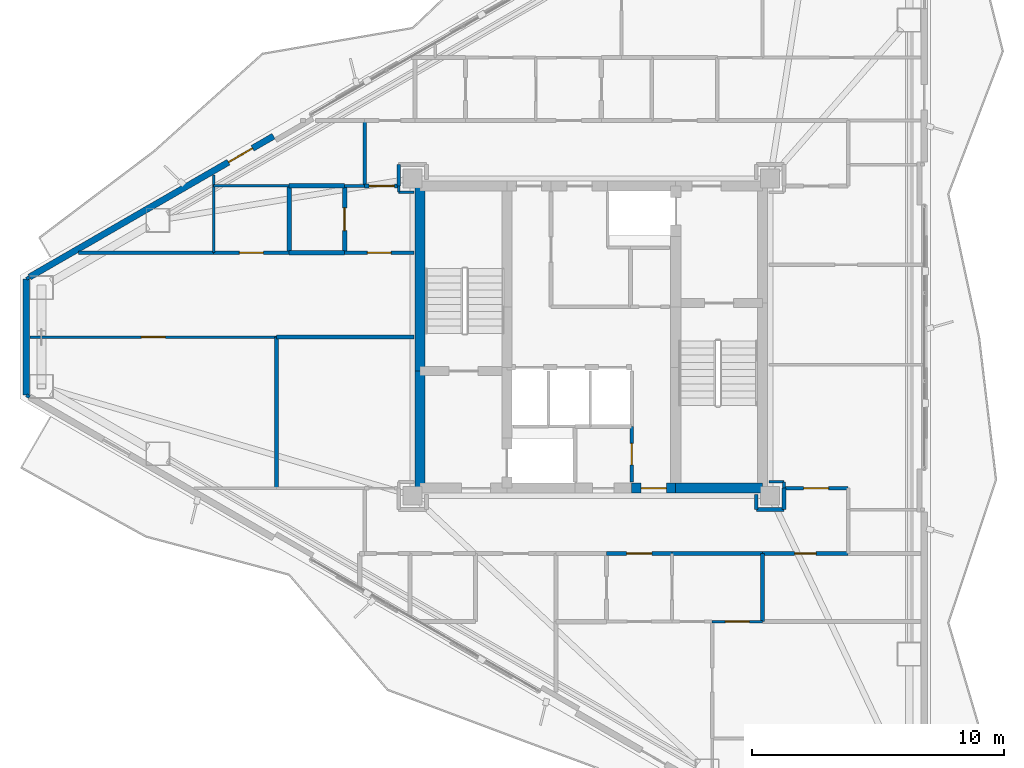
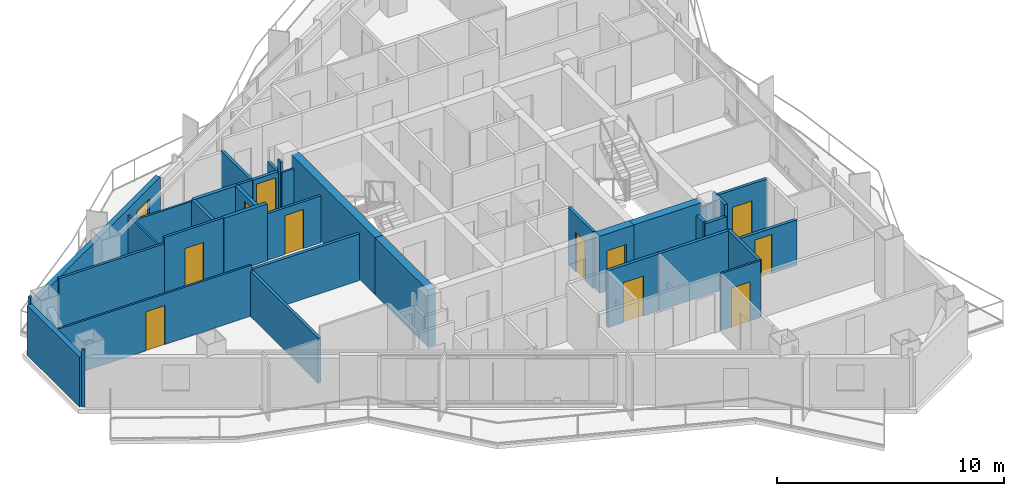
# One storey, part 13 of 18: 38 walls, 12 doors, 12 openings.
"""IFC4 building model written with IfcOpenShell, lengths in metres."""

import ifcopenshell
import ifcopenshell.guid

model = None  # the IFC model being written
_history = None  # IfcOwnerHistory: only IFC2X3 demands one
_inside = {}  # id of a spatial element -> (the spatial element, [elements in it])
_under = {}  # id of a project, library or spatial element -> (it, [spatial elements below it])
_declared = {}  # id of a project -> (the project, [libraries it declares])
_typed = {}  # id of a type object -> (the type object, [elements of that type])
_made_of = {}  # id of a material, layer set ... -> (it, [elements and type objects made of it])


def new_model(schema):
    """Start an empty IFC model of exactly this schema.

    Asked for "IFC4X3", IfcOpenShell would pick the latest addendum, in which some entities
    have other attributes; the version numbers below select the first issue.
    IFC2X3 requires an IfcOwnerHistory on every rooted entity: one is made here for all.
    """
    global model, _history
    if schema == "IFC4X3":
        model = ifcopenshell.file(schema_version=(4, 3, 0, 0))
    else:
        model = ifcopenshell.file(schema=schema)
    _inside.clear()
    _under.clear()
    _declared.clear()
    _typed.clear()
    _made_of.clear()
    _history = None
    if model.schema == "IFC2X3":
        org = make("IfcOrganization", Name="unknown")
        user = make(
            "IfcPersonAndOrganization",
            ThePerson=make("IfcPerson", FamilyName="unknown"),
            TheOrganization=org,
        )
        app = make(
            "IfcApplication",
            ApplicationDeveloper=org,
            Version="unknown",
            ApplicationFullName="unknown",
            ApplicationIdentifier="unknown",
        )
        _history = make(
            "IfcOwnerHistory",
            OwningUser=user,
            OwningApplication=app,
            ChangeAction="ADDED",
            CreationDate=0,
        )
    return model


def make(cls, **values):
    """One entity of the class cls with the attributes given. An attribute that is None is left unset."""
    return model.create_entity(
        cls, **{name: value for name, value in values.items() if value is not None}
    )


def rooted(cls, **values):
    """An entity with a GlobalId (a new one), such as an element, a storey or a relation."""
    return make(cls, GlobalId=ifcopenshell.guid.new(), OwnerHistory=_history, **values)


def si_unit(unit_type, name, prefix=None):
    """IfcSIUnit, for example si_unit("LENGTHUNIT", "METRE", prefix="MILLI")."""
    return make("IfcSIUnit", UnitType=unit_type, Prefix=prefix, Name=name)


def assignment(units):
    """IfcUnitAssignment: the units of a project."""
    return None if units is None else make("IfcUnitAssignment", Units=units)


def point(xyz):
    """IfcCartesianPoint."""
    return None if xyz is None else make("IfcCartesianPoint", Coordinates=xyz)


def direction(xyz):
    """IfcDirection."""
    return None if xyz is None else make("IfcDirection", DirectionRatios=xyz)


def frame(location, z_axis=None, x_axis=None):
    """IfcAxis2Placement3D, a coordinate frame: its origin and axes. An axis left out is left unset."""
    return make(
        "IfcAxis2Placement3D",
        Location=point(location),
        Axis=direction(z_axis),
        RefDirection=direction(x_axis),
    )


def frame_2d(location, x_axis=None):
    """IfcAxis2Placement2D, a coordinate frame in the plane: its origin and x axis."""
    return make(
        "IfcAxis2Placement2D", Location=point(location), RefDirection=direction(x_axis)
    )


def origin():
    """The frame at (0, 0, 0) with its axes left unset."""
    return frame((0.0, 0.0, 0.0))


def place(relative_to, where):
    """IfcLocalPlacement: puts the frame where relative to a parent placement (None: the world)."""
    return make(
        "IfcLocalPlacement", PlacementRelTo=relative_to, RelativePlacement=where
    )


def context(
    kind, dimensions, precision=None, world=None, true_north=None, identifier=None
):
    """IfcGeometricRepresentationContext, for example the 3D "Model" context."""
    return make(
        "IfcGeometricRepresentationContext",
        ContextIdentifier=identifier,
        ContextType=kind,
        CoordinateSpaceDimension=dimensions,
        Precision=precision,
        WorldCoordinateSystem=world,
        TrueNorth=true_north,
    )


def subcontext(parent, identifier, kind, view, scale=None):
    """IfcGeometricRepresentationSubContext, for example "Body" below "Model"."""
    return make(
        "IfcGeometricRepresentationSubContext",
        ContextIdentifier=identifier,
        ContextType=kind,
        ParentContext=parent,
        TargetScale=scale,
        TargetView=view,
    )


def project(units=None, contexts=None):
    """IfcProject with its units and contexts."""
    return rooted(
        "IfcProject",
        Name="project",
        RepresentationContexts=contexts,
        UnitsInContext=assignment(units),
    )


def spatial(cls, under=None, at=None, **own):
    """A site, building, storey or space (cls), placed at a placement, below another one or the project."""
    s = rooted(cls, ObjectPlacement=at, **own)
    if under is not None:
        _under.setdefault(under.id(), (under, []))[1].append(s)
    return s


def profile(cls, at=None, kind="AREA", **sizes):
    """A parametric profile (cls). Its sizes go by their IFC names, for example OverallWidth=200.0."""
    return make(cls, ProfileType=kind, Position=at, **sizes)


def rectangle(**sizes):
    """IfcRectangleProfileDef."""
    return profile("IfcRectangleProfileDef", **sizes)


def extrude(swept, where, along, depth):
    """IfcExtrudedAreaSolid: the profile swept, set in the frame where, extruded along a direction by depth."""
    return make(
        "IfcExtrudedAreaSolid",
        SweptArea=swept,
        Position=where,
        ExtrudedDirection=direction(along),
        Depth=depth,
    )


def shape(context_of_items, identifier, shape_type, items):
    """IfcShapeRepresentation: the items that make up one representation, for example the "Body"."""
    return make(
        "IfcShapeRepresentation",
        ContextOfItems=context_of_items,
        RepresentationIdentifier=identifier,
        RepresentationType=shape_type,
        Items=items,
    )


def material(Name=None, Category=None):
    """IfcMaterial."""
    return make("IfcMaterial", Name=Name, Category=Category)


def layer(
    of_material, thickness, ventilated=None, Name=None, Category=None, Priority=None
):
    """IfcMaterialLayer: one layer of a wall or slab, of a material (None: an air gap)."""
    return make(
        "IfcMaterialLayer",
        Material=of_material,
        LayerThickness=thickness,
        IsVentilated=ventilated,
        Name=Name,
        Category=Category,
        Priority=Priority,
    )


def layer_set(layers, Name=None):
    """IfcMaterialLayerSet."""
    return make("IfcMaterialLayerSet", MaterialLayers=layers, LayerSetName=Name)


def made_of(thing, what):
    """Note that an element or type object is made of a material, layer set ...; save() writes the relation."""
    if what is not None:
        _made_of.setdefault(what.id(), (what, []))[1].append(thing)
    return thing


def type_object(cls, material=None, **own):
    """A type object (cls), such as IfcWallType, which elements share."""
    return made_of(rooted(cls, **own), material)


def element(
    cls,
    number,
    at=None,
    inside=None,
    cuts=None,
    type_object=None,
    material=None,
    context=None,
    identifier="Body",
    shape_type=None,
    held_by="IfcProductDefinitionShape",
    body=None,
    shapes=None,
    **own,
):
    """One element of the class cls, such as IfcWall. Its Tag is "e" and its number.

    at: its placement. inside: the storey or other place that contains it. cuts: it is an
    opening in that element (IfcRelVoidsElement). A single representation is given by context,
    identifier, shape_type and body (its items); several are given by shapes. held_by: the class
    of the entity that holds the representations. save() writes the other relations.
    """
    e = rooted(cls, Tag="e%d" % number, ObjectPlacement=at, **own)
    if body is not None:
        shapes = [shape(context, identifier, shape_type, body)]
    if shapes is not None:
        e.Representation = make(held_by, Representations=shapes)
    if inside is not None:
        _inside.setdefault(inside.id(), (inside, []))[1].append(e)
    if cuts is not None:
        rooted(
            "IfcRelVoidsElement", RelatingBuildingElement=cuts, RelatedOpeningElement=e
        )
    if type_object is not None:
        _typed.setdefault(type_object.id(), (type_object, []))[1].append(e)
    return made_of(e, material)


def fill(opening, filler):
    """IfcRelFillsElement: the door or window that sits in an opening."""
    return rooted(
        "IfcRelFillsElement",
        RelatingOpeningElement=opening,
        RelatedBuildingElement=filler,
    )


def aggregate(whole, parts):
    """IfcRelAggregates: a whole, such as a stair, and the parts it consists of."""
    return rooted("IfcRelAggregates", RelatingObject=whole, RelatedObjects=parts)


def save(model, path):
    """Write the relations noted so far, then the file.

    IfcRelAggregates (storeys below a building ...), IfcRelContainedInSpatialStructure (elements
    in a storey), IfcRelDefinesByType, IfcRelAssociatesMaterial and IfcRelDeclares: one each for
    every whole, place, type object, material and project.
    """
    for whole, parts in _under.values():
        aggregate(whole, parts)
    for where, things in _inside.values():
        rooted(
            "IfcRelContainedInSpatialStructure",
            RelatedElements=things,
            RelatingStructure=where,
        )
    for kind, things in _typed.values():
        rooted("IfcRelDefinesByType", RelatedObjects=things, RelatingType=kind)
    for what, things in _made_of.values():
        rooted("IfcRelAssociatesMaterial", RelatedObjects=things, RelatingMaterial=what)
    for by, libraries in _declared.values():
        rooted("IfcRelDeclares", RelatingContext=by, RelatedDefinitions=libraries)
    model.write(path)


model = new_model("IFC4")

# Units and contexts
model_context = context("Model", 3, precision=1e-05, world=origin(), true_north=direction((0.0, 1.0)))
body_context = subcontext(model_context, "Body", "Model", "MODEL_VIEW")
ifc_project = project(units=[si_unit("LENGTHUNIT", "METRE"), si_unit("AREAUNIT", "SQUARE_METRE"), si_unit("VOLUMEUNIT", "CUBIC_METRE"), si_unit("PLANEANGLEUNIT", "RADIAN"), si_unit("MASSUNIT", "GRAM", prefix="KILO")], contexts=[model_context])

# Site, building, storey
site_placement = place(None, origin())
site = spatial("IfcSite", under=ifc_project, at=site_placement, CompositionType="ELEMENT")
building_placement = place(site_placement, origin())
building = spatial("IfcBuilding", under=site, at=building_placement, Name="Mersakhor Tower and Convention Hall", CompositionType="ELEMENT")
storey_placement = place(building_placement, frame((0.0, 0.0, 134.39990234375)))
storey = spatial("IfcBuildingStorey", under=building, at=storey_placement, Name="L37", CompositionType="ELEMENT", Elevation=134.39990234375)

# Wall
ifc_material_1 = material(Name="Precast concrete C40/50", Category="concrete")
ifc_layer_1 = layer(ifc_material_1, 0.25)
ifc_layer_set_1 = layer_set([ifc_layer_1], Name="Precast concrete C40/50")
wall_type_1 = type_object("IfcWallType", Name="WL-EXT-250", PredefinedType="SOLIDWALL", material=ifc_layer_set_1)
wall_1_placement = place(storey_placement, frame((6.560302734375, 24.44140625, 0.0), z_axis=(0.0, 0.0, 1.0), x_axis=(0.0, 1.0, 0.0)))
element("IfcWall", 1, at=wall_1_placement, inside=storey, type_object=wall_type_1, Name="L37 Chamfer Braced Spandrel Wall C3", PredefinedType="SOLIDWALL", context=body_context, shape_type="SweptSolid", body=[
    extrude(rectangle(XDim=4.6171875, YDim=0.25, at=frame_2d((2.30859375, 0.0))), origin(), (0.0, 0.0, 1.0), 2.68017578125),
])

# Wall, opening, door
wall_2_placement = place(storey_placement, frame((6.690185546875, 29.1337890625, 0.0), z_axis=(0.0, 0.0, 1.0), x_axis=(0.866027848477, 0.499995765644, 0.0)))
wall_2 = element("IfcWall", 2, at=wall_2_placement, inside=storey, type_object=wall_type_1, Name="L37 Exterior Facade Wall F1-B1", PredefinedType="SOLIDWALL", context=body_context, shape_type="SweptSolid", body=[
    extrude(rectangle(XDim=11.18603515625, YDim=0.25, at=frame_2d((5.593017578125, 0.0))), origin(), (0.0, 0.0, 1.0), 2.68017578125),
])
opening_1_placement = place(wall_2_placement, frame((9.1220703125, 0.0, 0.0)))
opening_1 = element("IfcOpeningElement", 3, at=opening_1_placement, cuts=wall_2, Name="Opening BD-02", PredefinedType="OPENING", context=body_context, shape_type="SweptSolid", body=[
    extrude(rectangle(XDim=1.10009765625, YDim=2.10009765625, at=frame_2d((0.550048828125, 1.050048828125))), frame((0.0, 0.135009765625, 0.0), z_axis=(0.0, -1.0, 0.0), x_axis=(1.0, 0.0, 0.0)), (0.0, 0.0, 1.0), 0.27001953125),
])
ifc_material_2 = material(Name="Thermally broken dark aluminium and safety glass", Category="aluminium")
door_type_1 = type_object("IfcDoorType", Name="DR-BAL-110x210", OperationType="NOTDEFINED", PredefinedType="DOOR", material=ifc_material_2)
door_1_placement = place(opening_1_placement, origin())
door_1 = element("IfcDoor", 4, at=door_1_placement, inside=storey, type_object=door_type_1, Name="L37 Balcony Terrace Door F1-B1", OperationType="SINGLE_SWING_RIGHT", OverallHeight=2.10009765625, OverallWidth=1.10009765625, PredefinedType="DOOR", context=body_context, shape_type="SweptSolid", body=[
    extrude(rectangle(XDim=1.10009765625, YDim=2.10009765625, at=frame_2d((0.550048828125, 1.050048828125))), frame((0.0, 0.02490234375, 0.0), z_axis=(0.0, -1.0, 0.0), x_axis=(1.0, 0.0, 0.0)), (0.0, 0.0, 1.0), 0.050048828125),
])
fill(opening_1, door_1)

ifc_material_3 = material(Name="Moisture-resistant acoustic drywall studwork", Category="other")
ifc_layer_2 = layer(ifc_material_3, 0.175048828125)
ifc_layer_set_2 = layer_set([ifc_layer_2], Name="Moisture-resistant acoustic drywall studwork")
wall_type_2 = type_object("IfcWallType", Name="WL-PLM-175", PredefinedType="PLUMBINGWALL", material=ifc_layer_set_2)
wall_3_placement = place(storey_placement, frame((19.199951171875, 30.10009765625, 0.0), z_axis=(0.0, 0.0, 1.0), x_axis=(0.0, 1.0, 0.0)))
wall_3 = element("IfcWall", 5, at=wall_3_placement, inside=storey, type_object=wall_type_2, Name="L37 Interior Partition Wall P-060", PredefinedType="PLUMBINGWALL", context=body_context, shape_type="SweptSolid", body=[
    extrude(rectangle(XDim=2.64990234375, YDim=0.175048828125, at=frame_2d((1.324951171875, 0.0))), origin(), (0.0, 0.0, 1.0), 2.432861328125),
])
opening_2_placement = place(wall_3_placement, frame((0.875, 0.0, 0.0)))
opening_2 = element("IfcOpeningElement", 6, at=opening_2_placement, cuts=wall_3, Name="Opening WD-01", PredefinedType="OPENING", context=body_context, shape_type="SweptSolid", body=[
    extrude(rectangle(XDim=0.89990234375, YDim=2.10009765625, at=frame_2d((0.449951171875, 1.050048828125))), frame((0.0, 0.097412109375, 0.0), z_axis=(0.0, -1.0, 0.0), x_axis=(1.0, 0.0, 0.0)), (0.0, 0.0, 1.0), 0.195068359375),
])
ifc_material_4 = material(Name="Solid-core hardwood leaf in painted steel frame", Category="steel")
door_type_2 = type_object("IfcDoorType", Name="DR-INT-WET-090x210", OperationType="NOTDEFINED", PredefinedType="DOOR", material=ifc_material_4)
door_2_placement = place(opening_2_placement, origin())
door_2 = element("IfcDoor", 7, at=door_2_placement, inside=storey, type_object=door_type_2, Name="L37 L37 Flat W4 Apartment Hall to L37 Flat W4 Bathroom Door", OperationType="SINGLE_SWING_LEFT", OverallHeight=2.10009765625, OverallWidth=0.89990234375, PredefinedType="DOOR", context=body_context, shape_type="SweptSolid", body=[
    extrude(rectangle(XDim=0.89990234375, YDim=2.10009765625, at=frame_2d((0.449951171875, 1.050048828125))), frame((0.0, 0.02490234375, 0.0), z_axis=(0.0, -1.0, 0.0), x_axis=(1.0, 0.0, 0.0)), (0.0, 0.0, 1.0), 0.050048828125),
])
fill(opening_2, door_2)

# Walls
wall_4_placement = place(storey_placement, frame((17.0, 32.75, 0.0), z_axis=(0.0, 0.0, 1.0), x_axis=(1.0, 0.0, 0.0)))
element("IfcWall", 8, at=wall_4_placement, inside=storey, type_object=wall_type_2, Name="L37 Interior Partition Wall P-079", PredefinedType="PLUMBINGWALL", context=body_context, shape_type="SweptSolid", body=[
    extrude(rectangle(XDim=2.199951171875, YDim=0.175048828125, at=frame_2d((1.10009765625, 0.0))), origin(), (0.0, 0.0, 1.0), 2.432861328125),
])
wall_5_placement = place(storey_placement, frame((19.199951171875, 30.10009765625, 0.0), z_axis=(0.0, 0.0, 1.0), x_axis=(-1.0, 0.0, 0.0)))
element("IfcWall", 9, at=wall_5_placement, inside=storey, type_object=wall_type_2, Name="L37 Interior Partition Wall P-080", PredefinedType="PLUMBINGWALL", context=body_context, shape_type="SweptSolid", body=[
    extrude(rectangle(XDim=2.199951171875, YDim=0.175048828125, at=frame_2d((1.10009765625, 0.0))), origin(), (0.0, 0.0, 1.0), 3.06005859375),
])
wall_6_placement = place(storey_placement, frame((17.0, 30.10009765625, 0.0), z_axis=(0.0, 0.0, 1.0), x_axis=(0.0, 1.0, 0.0)))
element("IfcWall", 10, at=wall_6_placement, inside=storey, type_object=wall_type_2, Name="L37 Interior Partition Wall P-081", PredefinedType="PLUMBINGWALL", context=body_context, shape_type="SweptSolid", body=[
    extrude(rectangle(XDim=2.64990234375, YDim=0.175048828125, at=frame_2d((1.324951171875, 0.0))), origin(), (0.0, 0.0, 1.0), 2.432861328125),
])
ifc_material_5 = material(Name="Lightweight gypsum partition", Category="other")
ifc_layer_3 = layer(ifc_material_5, 0.10009765625)
ifc_layer_set_3 = layer_set([ifc_layer_3], Name="Lightweight gypsum partition")
wall_type_3 = type_object("IfcWallType", Name="WL-PRT-100", PredefinedType="PARTITIONING", material=ifc_layer_set_3)
wall_7_placement = place(storey_placement, frame((21.35009765625, 32.5, 0.0), z_axis=(0.0, 0.0, 1.0), x_axis=(1.0, 0.0, 0.0)))
element("IfcWall", 11, at=wall_7_placement, inside=storey, type_object=wall_type_3, Name="L37 Interior Partition Wall P-058", PredefinedType="PARTITIONING", context=body_context, shape_type="SweptSolid", body=[
    extrude(rectangle(XDim=0.599853515625, YDim=0.10009765625, at=frame_2d((0.2998046875, 0.0))), origin(), (0.0, 0.0, 1.0), 2.50830078125),
])
wall_8_placement = place(storey_placement, frame((21.35009765625, 32.75, 0.0), z_axis=(0.0, 0.0, 1.0), x_axis=(0.0, -1.0, 0.0)))
element("IfcWall", 12, at=wall_8_placement, inside=storey, type_object=wall_type_3, Name="L37 Interior Partition Wall P-062", PredefinedType="PARTITIONING", context=body_context, shape_type="SweptSolid", body=[
    extrude(rectangle(XDim=0.25, YDim=0.10009765625, at=frame_2d((0.125, 0.0))), origin(), (0.0, 0.0, 1.0), 3.06005859375),
])

# Wall, opening, door
wall_9_placement = place(storey_placement, frame((35.800048828125, 15.449951171875, 0.0), z_axis=(0.0, 0.0, 1.0), x_axis=(-1.0, 0.0, 0.0)))
wall_9 = element("IfcWall", 13, at=wall_9_placement, inside=storey, type_object=wall_type_3, Name="L37 Interior Partition Wall P-076", PredefinedType="PARTITIONING", context=body_context, shape_type="SweptSolid", body=[
    extrude(rectangle(XDim=2.0, YDim=0.10009765625, at=frame_2d((1.0, 0.0))), origin(), (0.0, 0.0, 1.0), 3.06005859375),
])
opening_3_placement = place(wall_9_placement, frame((0.52490234375, 0.0, 0.0)))
opening_3 = element("IfcOpeningElement", 14, at=opening_3_placement, cuts=wall_9, Name="Opening RD-01", PredefinedType="OPENING", context=body_context, shape_type="SweptSolid", body=[
    extrude(rectangle(XDim=0.949951171875, YDim=2.10009765625, at=frame_2d((0.47509765625, 1.050048828125))), frame((0.0, 0.06005859375, 0.0), z_axis=(0.0, -1.0, 0.0), x_axis=(1.0, 0.0, 0.0)), (0.0, 0.0, 1.0), 0.1201171875),
])
ifc_material_6 = material(Name="Solid-core hardwood leaf in painted steel frame", Category="steel")
door_type_3 = type_object("IfcDoorType", Name="DR-INT-RM-095x210", OperationType="NOTDEFINED", PredefinedType="DOOR", material=ifc_material_6)
door_3_placement = place(opening_3_placement, origin())
door_3 = element("IfcDoor", 15, at=door_3_placement, inside=storey, type_object=door_type_3, Name="L37 L37 Flat S3 Kitchen to L37 Flat S3 Dining Room Door", OperationType="SINGLE_SWING_LEFT", OverallHeight=2.10009765625, OverallWidth=0.949951171875, PredefinedType="DOOR", context=body_context, shape_type="SweptSolid", body=[
    extrude(rectangle(XDim=0.949951171875, YDim=2.10009765625, at=frame_2d((0.47509765625, 1.050048828125))), frame((0.0, 0.02490234375, 0.0), z_axis=(0.0, -1.0, 0.0), x_axis=(1.0, 0.0, 0.0)), (0.0, 0.0, 1.0), 0.050048828125),
])
fill(opening_3, door_3)

# Walls
wall_10_placement = place(storey_placement, frame((14.0, 32.75, 0.0), z_axis=(0.0, 0.0, 1.0), x_axis=(1.0, 0.0, 0.0)))
element("IfcWall", 16, at=wall_10_placement, inside=storey, type_object=wall_type_3, Name="L37 Interior Partition Wall P-082", PredefinedType="PARTITIONING", context=body_context, shape_type="SweptSolid", body=[
    extrude(rectangle(XDim=3.0, YDim=0.10009765625, at=frame_2d((1.5, 0.0))), origin(), (0.0, 0.0, 1.0), 2.364990234375),
])
wall_11_placement = place(storey_placement, frame((14.0, 30.10009765625, 0.0), z_axis=(0.0, 0.0, 1.0), x_axis=(0.0, 1.0, 0.0)))
element("IfcWall", 17, at=wall_11_placement, inside=storey, type_object=wall_type_3, Name="L37 Interior Partition Wall P-084", PredefinedType="PARTITIONING", context=body_context, shape_type="SweptSolid", body=[
    extrude(rectangle(XDim=3.081787109375, YDim=0.10009765625, at=frame_2d((1.541015625, 0.0))), origin(), (0.0, 0.0, 1.0), 2.364990234375),
])
wall_12_placement = place(storey_placement, frame((36.64990234375, 21.0, 0.0), z_axis=(0.0, 0.0, 1.0), x_axis=(-1.0, 0.0, 0.0)))
element("IfcWall", 18, at=wall_12_placement, inside=storey, type_object=wall_type_3, Name="L37 Interior Partition Wall P-104", PredefinedType="PARTITIONING", context=body_context, shape_type="SweptSolid", body=[
    extrude(rectangle(XDim=0.599853515625, YDim=0.10009765625, at=frame_2d((0.2998046875, 0.0))), origin(), (0.0, 0.0, 1.0), 2.50830078125),
])

# Wall, opening, door
wall_13_placement = place(storey_placement, frame((16.5, 26.75, 0.0), z_axis=(0.0, 0.0, 1.0), x_axis=(-1.0, 0.0, 0.0)))
wall_13 = element("IfcWall", 19, at=wall_13_placement, inside=storey, type_object=wall_type_3, Name="L37 Interior Partition Wall P-124", PredefinedType="PARTITIONING", context=body_context, shape_type="SweptSolid", body=[
    extrude(rectangle(XDim=9.790771484375, YDim=0.10009765625, at=frame_2d((4.8955078125, 0.0))), origin(), (0.0, 0.0, 1.0), 2.724609375),
])
opening_4_placement = place(wall_13_placement, frame((4.42041015625, 0.0, 0.0)))
opening_4 = element("IfcOpeningElement", 20, at=opening_4_placement, cuts=wall_13, Name="Opening RD-01", PredefinedType="OPENING", context=body_context, shape_type="SweptSolid", body=[
    extrude(rectangle(XDim=0.949951171875, YDim=2.10009765625, at=frame_2d((0.47509765625, 1.050048828125))), frame((0.0, 0.06005859375, 0.0), z_axis=(0.0, -1.0, 0.0), x_axis=(1.0, 0.0, 0.0)), (0.0, 0.0, 1.0), 0.1201171875),
])
door_4_placement = place(opening_4_placement, origin())
door_4 = element("IfcDoor", 21, at=door_4_placement, inside=storey, type_object=door_type_3, Name="L37 L37 Flat W4 Living and Dining Room to L37 Flat W4 Master Bedroom Door", OperationType="SINGLE_SWING_RIGHT", OverallHeight=2.10009765625, OverallWidth=0.949951171875, PredefinedType="DOOR", context=body_context, shape_type="SweptSolid", body=[
    extrude(rectangle(XDim=0.949951171875, YDim=2.10009765625, at=frame_2d((0.47509765625, 1.050048828125))), frame((0.0, 0.02490234375, 0.0), z_axis=(0.0, -1.0, 0.0), x_axis=(1.0, 0.0, 0.0)), (0.0, 0.0, 1.0), 0.050048828125),
])
fill(opening_4, door_4)

ifc_material_7 = material(Name="Gypsum board acoustic partition", Category="other")
ifc_layer_4 = layer(ifc_material_7, 0.125)
ifc_layer_set_4 = layer_set([ifc_layer_4], Name="Gypsum board acoustic partition")
wall_type_4 = type_object("IfcWallType", Name="WL-PRT-125", PredefinedType="PARTITIONING", material=ifc_layer_set_4)
wall_14_placement = place(storey_placement, frame((21.949951171875, 30.10009765625, 0.0), z_axis=(0.0, 0.0, 1.0), x_axis=(-1.0, 0.0, 0.0)))
wall_14 = element("IfcWall", 22, at=wall_14_placement, inside=storey, type_object=wall_type_4, Name="L37 Interior Partition Wall P-059", PredefinedType="PARTITIONING", context=body_context, shape_type="SweptSolid", body=[
    extrude(rectangle(XDim=2.75, YDim=0.125, at=frame_2d((1.375, 0.0))), origin(), (0.0, 0.0, 1.0), 2.50830078125),
])
opening_5_placement = place(wall_14_placement, frame((0.89990234375, 0.0, 0.0)))
opening_5 = element("IfcOpeningElement", 23, at=opening_5_placement, cuts=wall_14, Name="Opening RD-01", PredefinedType="OPENING", context=body_context, shape_type="SweptSolid", body=[
    extrude(rectangle(XDim=0.949951171875, YDim=2.10009765625, at=frame_2d((0.47509765625, 1.050048828125))), frame((0.0, 0.072509765625, 0.0), z_axis=(0.0, -1.0, 0.0), x_axis=(1.0, 0.0, 0.0)), (0.0, 0.0, 1.0), 0.14501953125),
])
door_5_placement = place(opening_5_placement, origin())
door_5 = element("IfcDoor", 24, at=door_5_placement, inside=storey, type_object=door_type_3, Name="L37 L37 Flat W4 Apartment Hall to L37 Flat W4 Living and Dining Room Door", OperationType="SINGLE_SWING_RIGHT", OverallHeight=2.10009765625, OverallWidth=0.949951171875, PredefinedType="DOOR", context=body_context, shape_type="SweptSolid", body=[
    extrude(rectangle(XDim=0.949951171875, YDim=2.10009765625, at=frame_2d((0.47509765625, 1.050048828125))), frame((0.0, 0.02490234375, 0.0), z_axis=(0.0, -1.0, 0.0), x_axis=(1.0, 0.0, 0.0)), (0.0, 0.0, 1.0), 0.050048828125),
])
fill(opening_5, door_5)

# Wall
wall_15_placement = place(storey_placement, frame((19.199951171875, 32.75, 0.0), z_axis=(0.0, 0.0, 1.0), x_axis=(1.0, 0.0, 0.0)))
element("IfcWall", 25, at=wall_15_placement, inside=storey, type_object=wall_type_4, Name="L37 Interior Partition Wall P-061", PredefinedType="PARTITIONING", context=body_context, shape_type="SweptSolid", body=[
    extrude(rectangle(XDim=0.800048828125, YDim=0.125, at=frame_2d((0.39990234375, 0.0))), origin(), (0.0, 0.0, 1.0), 2.432861328125),
])

# Wall, opening, door
wall_16_placement = place(storey_placement, frame((17.0, 30.10009765625, 0.0), z_axis=(0.0, 0.0, 1.0), x_axis=(-1.0, 0.0, 0.0)))
wall_16 = element("IfcWall", 26, at=wall_16_placement, inside=storey, type_object=wall_type_4, Name="L37 Interior Partition Wall P-083", PredefinedType="PARTITIONING", context=body_context, shape_type="SweptSolid", body=[
    extrude(rectangle(XDim=3.0, YDim=0.125, at=frame_2d((1.5, 0.0))), origin(), (0.0, 0.0, 1.0), 3.06005859375),
])
opening_6_placement = place(wall_16_placement, frame((1.02490234375, 0.0, 0.0)))
opening_6 = element("IfcOpeningElement", 27, at=opening_6_placement, cuts=wall_16, Name="Opening RD-01", PredefinedType="OPENING", context=body_context, shape_type="SweptSolid", body=[
    extrude(rectangle(XDim=0.949951171875, YDim=2.10009765625, at=frame_2d((0.47509765625, 1.050048828125))), frame((0.0, 0.072509765625, 0.0), z_axis=(0.0, -1.0, 0.0), x_axis=(1.0, 0.0, 0.0)), (0.0, 0.0, 1.0), 0.14501953125),
])
door_6_placement = place(opening_6_placement, origin())
door_6 = element("IfcDoor", 28, at=door_6_placement, inside=storey, type_object=door_type_3, Name="L37 L37 Flat W4 Kitchen to L37 Flat W4 Living and Dining Room Door", OperationType="SINGLE_SWING_RIGHT", OverallHeight=2.10009765625, OverallWidth=0.949951171875, PredefinedType="DOOR", context=body_context, shape_type="SweptSolid", body=[
    extrude(rectangle(XDim=0.949951171875, YDim=2.10009765625, at=frame_2d((0.47509765625, 1.050048828125))), frame((0.0, 0.02490234375, 0.0), z_axis=(0.0, -1.0, 0.0), x_axis=(1.0, 0.0, 0.0)), (0.0, 0.0, 1.0), 0.050048828125),
])
fill(opening_6, door_6)

# Walls
wall_17_placement = place(storey_placement, frame((36.64990234375, 20.75, 0.0), z_axis=(0.0, 0.0, 1.0), x_axis=(0.0, 1.0, 0.0)))
element("IfcWall", 29, at=wall_17_placement, inside=storey, type_object=wall_type_4, Name="L37 Interior Partition Wall P-103", PredefinedType="PARTITIONING", context=body_context, shape_type="SweptSolid", body=[
    extrude(rectangle(XDim=0.25, YDim=0.125, at=frame_2d((0.125, 0.0))), origin(), (0.0, 0.0, 1.0), 3.06005859375),
])
wall_18_placement = place(storey_placement, frame((8.634765625, 30.10009765625, 0.0), z_axis=(0.0, 0.0, 1.0), x_axis=(1.0, 0.0, 0.0)))
element("IfcWall", 30, at=wall_18_placement, inside=storey, type_object=wall_type_4, Name="L37 Interior Partition Wall P-123", PredefinedType="PARTITIONING", context=body_context, shape_type="SweptSolid", body=[
    extrude(rectangle(XDim=5.365234375, YDim=0.125, at=frame_2d((2.6826171875, 0.0))), origin(), (0.0, 0.0, 1.0), 2.724609375),
])
for number, where, z_axis, x_axis, name in (
    (31, (6.56005859375, 29.05908203125, 0.0), (0.0, 0.0, 1.0), (0.866131372301, 0.499816412211, 0.0), "L37 Interior Partition Wall P-125"),
    (32, (6.68994140625, 24.365966796875, 0.0), (0.0, 0.0, 1.0), (-0.866131372301, 0.499816412211, 0.0), "L37 Interior Partition Wall P-127"),
):
    element("IfcWall", number, at=place(storey_placement, frame(where, z_axis=z_axis, x_axis=x_axis)), inside=storey, type_object=wall_type_4, Name=name, PredefinedType="PARTITIONING", context=body_context, shape_type="SweptSolid", body=[
        extrude(rectangle(XDim=0.14990234375, YDim=0.125, at=frame_2d((0.074951171875, 0.0))), origin(), (0.0, 0.0, 1.0), 3.06005859375),
    ])

# Wall, opening, door
ifc_material_8 = material(Name="Fire-rated gypsum board stud partition", Category="other")
ifc_layer_5 = layer(ifc_material_8, 0.14990234375)
ifc_layer_set_5 = layer_set([ifc_layer_5], Name="Fire-rated gypsum board stud partition")
wall_type_5 = type_object("IfcWallType", Name="WL-PRT-150", PredefinedType="PARTITIONING", material=ifc_layer_set_5)
wall_19_placement = place(storey_placement, frame((30.60009765625, 21.0, 0.0), z_axis=(0.0, 0.0, 1.0), x_axis=(0.0, 1.0, 0.0)))
wall_19 = element("IfcWall", 33, at=wall_19_placement, inside=storey, type_object=wall_type_5, Name="L37 Interior Partition Wall P-012", PredefinedType="PARTITIONING", context=body_context, shape_type="SweptSolid", body=[
    extrude(rectangle(XDim=2.199951171875, YDim=0.14990234375, at=frame_2d((1.10009765625, 0.0))), origin(), (0.0, 0.0, 1.0), 3.06005859375),
])
opening_7_placement = place(wall_19_placement, frame((0.675048828125, 0.0, 0.0)))
opening_7 = element("IfcOpeningElement", 34, at=opening_7_placement, cuts=wall_19, Name="Opening SVD-01", PredefinedType="OPENING", context=body_context, shape_type="SweptSolid", body=[
    extrude(rectangle(XDim=0.85009765625, YDim=2.10009765625, at=frame_2d((0.425048828125, 1.050048828125))), frame((0.0, 0.0849609375, 0.0), z_axis=(0.0, -1.0, 0.0), x_axis=(1.0, 0.0, 0.0)), (0.0, 0.0, 1.0), 0.169921875),
])
ifc_material_9 = material(Name="Fire-rated hardwood leaf and painted steel frame", Category="steel")
door_type_4 = type_object("IfcDoorType", Name="DR-INT-SVC-085x210", OperationType="NOTDEFINED", PredefinedType="DOOR", material=ifc_material_9)
door_7_placement = place(opening_7_placement, origin())
door_7 = element("IfcDoor", 35, at=door_7_placement, inside=storey, type_object=door_type_4, Name="L37 Central Passenger Lift Lobby to Electrical Distribution Room Door", OperationType="SINGLE_SWING_RIGHT", OverallHeight=2.10009765625, OverallWidth=0.85009765625, PredefinedType="DOOR", context=body_context, shape_type="SweptSolid", body=[
    extrude(rectangle(XDim=0.85009765625, YDim=2.10009765625, at=frame_2d((0.425048828125, 1.050048828125))), frame((0.0, 0.02490234375, 0.0), z_axis=(0.0, -1.0, 0.0), x_axis=(1.0, 0.0, 0.0)), (0.0, 0.0, 1.0), 0.050048828125),
])
fill(opening_7, door_7)

# Wall
wall_20_placement = place(storey_placement, frame((21.35009765625, 33.60009765625, 0.0), z_axis=(0.0, 0.0, 1.0), x_axis=(0.0, -1.0, 0.0)))
element("IfcWall", 36, at=wall_20_placement, inside=storey, type_object=wall_type_5, Name="L37 Interior Partition Wall P-019", PredefinedType="PARTITIONING", context=body_context, shape_type="SweptSolid", body=[
    extrude(rectangle(XDim=0.85009765625, YDim=0.14990234375, at=frame_2d((0.425048828125, 0.0))), origin(), (0.0, 0.0, 1.0), 2.432861328125),
])

# Wall, opening, door
wall_21_placement = place(storey_placement, frame((21.35009765625, 32.75, 0.0), z_axis=(0.0, 0.0, 1.0), x_axis=(-1.0, 0.0, 0.0)))
wall_21 = element("IfcWall", 37, at=wall_21_placement, inside=storey, type_object=wall_type_5, Name="L37 Interior Partition Wall P-020", PredefinedType="PARTITIONING", context=body_context, shape_type="SweptSolid", body=[
    extrude(rectangle(XDim=1.35009765625, YDim=0.14990234375, at=frame_2d((0.675048828125, 0.0))), origin(), (0.0, 0.0, 1.0), 2.432861328125),
])
opening_8_placement = place(wall_21_placement, frame((0.175048828125, 0.0, 0.0)))
opening_8 = element("IfcOpeningElement", 38, at=opening_8_placement, cuts=wall_21, Name="Opening FD-01", PredefinedType="OPENING", context=body_context, shape_type="SweptSolid", body=[
    extrude(rectangle(XDim=1.0, YDim=2.14990234375, at=frame_2d((0.5, 1.074951171875))), frame((0.0, 0.0849609375, 0.0), z_axis=(0.0, -1.0, 0.0), x_axis=(1.0, 0.0, 0.0)), (0.0, 0.0, 1.0), 0.169921875),
])
ifc_material_10 = material(Name="Fire-rated hardwood leaf and painted steel frame", Category="steel")
door_type_5 = type_object("IfcDoorType", Name="DR-INT-FLT-100x215", OperationType="NOTDEFINED", PredefinedType="DOOR", material=ifc_material_10)
door_8_placement = place(opening_8_placement, origin())
door_8 = element("IfcDoor", 39, at=door_8_placement, inside=storey, type_object=door_type_5, Name="L37 Apartment Entrance Door (Residential North Gallery Corridor to L37 Flat W4 Apartment Hall)", OperationType="SINGLE_SWING_RIGHT", OverallHeight=2.14990234375, OverallWidth=1.0, PredefinedType="DOOR", context=body_context, shape_type="SweptSolid", body=[
    extrude(rectangle(XDim=1.0, YDim=2.14990234375, at=frame_2d((0.5, 1.074951171875))), frame((0.0, 0.02490234375, 0.0), z_axis=(0.0, -1.0, 0.0), x_axis=(1.0, 0.0, 0.0)), (0.0, 0.0, 1.0), 0.050048828125),
])
fill(opening_8, door_8)

# Walls
wall_22_placement = place(storey_placement, frame((20.0, 32.75, 0.0), z_axis=(0.0, 0.0, 1.0), x_axis=(0.0, 1.0, 0.0)))
element("IfcWall", 40, at=wall_22_placement, inside=storey, type_object=wall_type_5, Name="L37 Interior Partition Wall P-021", PredefinedType="PARTITIONING", context=body_context, shape_type="SweptSolid", body=[
    extrude(rectangle(XDim=2.60009765625, YDim=0.14990234375, at=frame_2d((1.300048828125, 0.0))), origin(), (0.0, 0.0, 1.0), 2.432861328125),
])
wall_23_placement = place(storey_placement, frame((35.550048828125, 20.5, 0.0), z_axis=(0.0, 0.0, 1.0), x_axis=(0.0, -1.0, 0.0)))
element("IfcWall", 41, at=wall_23_placement, inside=storey, type_object=wall_type_5, Name="L37 Interior Partition Wall P-035", PredefinedType="PARTITIONING", context=body_context, shape_type="SweptSolid", body=[
    extrude(rectangle(XDim=0.60009765625, YDim=0.14990234375, at=frame_2d((0.300048828125, 0.0))), origin(), (0.0, 0.0, 1.0), 2.50830078125),
])
wall_24_placement = place(storey_placement, frame((35.550048828125, 19.89990234375, 0.0), z_axis=(0.0, 0.0, 1.0), x_axis=(1.0, 0.0, 0.0)))
element("IfcWall", 42, at=wall_24_placement, inside=storey, type_object=wall_type_5, Name="L37 Interior Partition Wall P-036", PredefinedType="PARTITIONING", context=body_context, shape_type="SweptSolid", body=[
    extrude(rectangle(XDim=1.099853515625, YDim=0.14990234375, at=frame_2d((0.5498046875, 0.0))), origin(), (0.0, 0.0, 1.0), 2.432861328125),
])
wall_25_placement = place(storey_placement, frame((36.64990234375, 19.89990234375, 0.0), z_axis=(0.0, 0.0, 1.0), x_axis=(0.0, 1.0, 0.0)))
element("IfcWall", 43, at=wall_25_placement, inside=storey, type_object=wall_type_5, Name="L37 Interior Partition Wall P-037", PredefinedType="PARTITIONING", context=body_context, shape_type="SweptSolid", body=[
    extrude(rectangle(XDim=0.85009765625, YDim=0.14990234375, at=frame_2d((0.425048828125, 0.0))), origin(), (0.0, 0.0, 1.0), 3.06005859375),
])

# Wall, opening, door
wall_26_placement = place(storey_placement, frame((36.64990234375, 20.75, 0.0), z_axis=(0.0, 0.0, 1.0), x_axis=(1.0, 0.0, 0.0)))
wall_26 = element("IfcWall", 44, at=wall_26_placement, inside=storey, type_object=wall_type_5, Name="L37 Interior Partition Wall P-038", PredefinedType="PARTITIONING", context=body_context, shape_type="SweptSolid", body=[
    extrude(rectangle(XDim=2.550048828125, YDim=0.14990234375, at=frame_2d((1.27490234375, 0.0))), origin(), (0.0, 0.0, 1.0), 3.06005859375),
])
opening_9_placement = place(wall_26_placement, frame((0.77490234375, 0.0, 0.0)))
opening_9 = element("IfcOpeningElement", 45, at=opening_9_placement, cuts=wall_26, Name="Opening FD-01", PredefinedType="OPENING", context=body_context, shape_type="SweptSolid", body=[
    extrude(rectangle(XDim=1.0, YDim=2.14990234375, at=frame_2d((0.5, 1.074951171875))), frame((0.0, 0.0849609375, 0.0), z_axis=(0.0, -1.0, 0.0), x_axis=(1.0, 0.0, 0.0)), (0.0, 0.0, 1.0), 0.169921875),
])
door_9_placement = place(opening_9_placement, origin())
door_9 = element("IfcDoor", 46, at=door_9_placement, inside=storey, type_object=door_type_5, Name="L37 Residential South Gallery Corridor to L37 East Wing Residents Reading Lounge Door", OperationType="SINGLE_SWING_RIGHT", OverallHeight=2.14990234375, OverallWidth=1.0, PredefinedType="DOOR", context=body_context, shape_type="SweptSolid", body=[
    extrude(rectangle(XDim=1.0, YDim=2.14990234375, at=frame_2d((0.5, 1.074951171875))), frame((0.0, 0.02490234375, 0.0), z_axis=(0.0, -1.0, 0.0), x_axis=(1.0, 0.0, 0.0)), (0.0, 0.0, 1.0), 0.050048828125),
])
fill(opening_9, door_9)

wall_27_placement = place(storey_placement, frame((39.199951171875, 18.14990234375, 0.0), z_axis=(0.0, 0.0, 1.0), x_axis=(-1.0, 0.0, 0.0)))
wall_27 = element("IfcWall", 47, at=wall_27_placement, inside=storey, type_object=wall_type_5, Name="L37 Interior Partition Wall P-041", PredefinedType="PARTITIONING", context=body_context, shape_type="SweptSolid", body=[
    extrude(rectangle(XDim=3.39990234375, YDim=0.14990234375, at=frame_2d((1.699951171875, 0.0))), origin(), (0.0, 0.0, 1.0), 2.432861328125),
])
opening_10_placement = place(wall_27_placement, frame((1.27490234375, 0.0, 0.0)))
opening_10 = element("IfcOpeningElement", 48, at=opening_10_placement, cuts=wall_27, Name="Opening SVD-01", PredefinedType="OPENING", context=body_context, shape_type="SweptSolid", body=[
    extrude(rectangle(XDim=0.85009765625, YDim=2.10009765625, at=frame_2d((0.425048828125, 1.050048828125))), frame((0.0, 0.0849609375, 0.0), z_axis=(0.0, -1.0, 0.0), x_axis=(1.0, 0.0, 0.0)), (0.0, 0.0, 1.0), 0.169921875),
])
door_10_placement = place(opening_10_placement, origin())
door_10 = element("IfcDoor", 49, at=door_10_placement, inside=storey, type_object=door_type_4, Name="L37 Residential South Gallery Corridor to L37 South Wing Household Store Room Door", OperationType="SINGLE_SWING_RIGHT", OverallHeight=2.10009765625, OverallWidth=0.85009765625, PredefinedType="DOOR", context=body_context, shape_type="SweptSolid", body=[
    extrude(rectangle(XDim=0.85009765625, YDim=2.10009765625, at=frame_2d((0.425048828125, 1.050048828125))), frame((0.0, 0.02490234375, 0.0), z_axis=(0.0, -1.0, 0.0), x_axis=(1.0, 0.0, 0.0)), (0.0, 0.0, 1.0), 0.050048828125),
])
fill(opening_10, door_10)

# Wall
wall_28_placement = place(storey_placement, frame((35.800048828125, 18.14990234375, 0.0), z_axis=(0.0, 0.0, 1.0), x_axis=(-1.0, 0.0, 0.0)))
element("IfcWall", 50, at=wall_28_placement, inside=storey, type_object=wall_type_5, Name="L37 Interior Partition Wall P-042", PredefinedType="PARTITIONING", context=body_context, shape_type="SweptSolid", body=[
    extrude(rectangle(XDim=3.60009765625, YDim=0.14990234375, at=frame_2d((1.800048828125, 0.0))), origin(), (0.0, 0.0, 1.0), 3.06005859375),
])

# Wall, opening, door
wall_29_placement = place(storey_placement, frame((32.199951171875, 18.14990234375, 0.0), z_axis=(0.0, 0.0, 1.0), x_axis=(-1.0, 0.0, 0.0)))
wall_29 = element("IfcWall", 51, at=wall_29_placement, inside=storey, type_object=wall_type_5, Name="L37 Interior Partition Wall P-043", PredefinedType="PARTITIONING", context=body_context, shape_type="SweptSolid", body=[
    extrude(rectangle(XDim=2.599853515625, YDim=0.14990234375, at=frame_2d((1.2998046875, 0.0))), origin(), (0.0, 0.0, 1.0), 3.06005859375),
])
opening_11_placement = place(wall_29_placement, frame((0.800048828125, 0.0, 0.0)))
opening_11 = element("IfcOpeningElement", 52, at=opening_11_placement, cuts=wall_29, Name="Opening FD-01", PredefinedType="OPENING", context=body_context, shape_type="SweptSolid", body=[
    extrude(rectangle(XDim=1.0, YDim=2.14990234375, at=frame_2d((0.5, 1.074951171875))), frame((0.0, 0.0849609375, 0.0), z_axis=(0.0, -1.0, 0.0), x_axis=(1.0, 0.0, 0.0)), (0.0, 0.0, 1.0), 0.169921875),
])
door_11_placement = place(opening_11_placement, origin())
door_11 = element("IfcDoor", 53, at=door_11_placement, inside=storey, type_object=door_type_5, Name="L37 Apartment Entrance Door (Residential South Gallery Corridor to L37 Flat S3 Apartment Hall)", OperationType="SINGLE_SWING_LEFT", OverallHeight=2.14990234375, OverallWidth=1.0, PredefinedType="DOOR", context=body_context, shape_type="SweptSolid", body=[
    extrude(rectangle(XDim=1.0, YDim=2.14990234375, at=frame_2d((0.5, 1.074951171875))), frame((0.0, 0.02490234375, 0.0), z_axis=(0.0, -1.0, 0.0), x_axis=(1.0, 0.0, 0.0)), (0.0, 0.0, 1.0), 0.050048828125),
])
fill(opening_11, door_11)

# Walls
wall_30_placement = place(storey_placement, frame((35.800048828125, 18.14990234375, 0.0), z_axis=(0.0, 0.0, 1.0), x_axis=(0.0, -1.0, 0.0)))
element("IfcWall", 54, at=wall_30_placement, inside=storey, type_object=wall_type_5, Name="L37 Interior Partition Wall P-078", PredefinedType="PARTITIONING", context=body_context, shape_type="SweptSolid", body=[
    extrude(rectangle(XDim=2.699951171875, YDim=0.14990234375, at=frame_2d((1.35009765625, 0.0))), origin(), (0.0, 0.0, 1.0), 3.06005859375),
])
wall_31_placement = place(storey_placement, frame((16.5, 20.75, 0.0), z_axis=(0.0, 0.0, 1.0), x_axis=(0.0, 1.0, 0.0)))
element("IfcWall", 55, at=wall_31_placement, inside=storey, type_object=wall_type_5, Name="L37 Interior Partition Wall P-093", PredefinedType="PARTITIONING", context=body_context, shape_type="SweptSolid", body=[
    extrude(rectangle(XDim=6.0, YDim=0.14990234375, at=frame_2d((3.0, 0.0))), origin(), (0.0, 0.0, 1.0), 2.432861328125),
])
wall_32_placement = place(storey_placement, frame((16.5, 26.75, 0.0), z_axis=(0.0, 0.0, 1.0), x_axis=(1.0, 0.0, 0.0)))
element("IfcWall", 56, at=wall_32_placement, inside=storey, type_object=wall_type_5, Name="L37 Interior Partition Wall P-094", PredefinedType="PARTITIONING", context=body_context, shape_type="SweptSolid", body=[
    extrude(rectangle(XDim=5.449951171875, YDim=0.14990234375, at=frame_2d((2.72509765625, 0.0))), origin(), (0.0, 0.0, 1.0), 2.50830078125),
])
ifc_material_11 = material(Name="Concrete C60/75", Category="concrete")
ifc_layer_6 = layer(ifc_material_11, 0.39990234375)
ifc_layer_set_6 = layer_set([ifc_layer_6], Name="Concrete C60/75")
wall_type_6 = type_object("IfcWallType", Name="WL-SHR-400", PredefinedType="SHEAR", material=ifc_layer_set_6)
wall_33_placement = place(storey_placement, frame((22.199951171875, 20.75, 0.0), z_axis=(0.0, 0.0, 1.0), x_axis=(0.0, 1.0, 0.0)))
element("IfcWall", 57, at=wall_33_placement, inside=storey, type_object=wall_type_6, Name="L37 Core Wall CW-W1", PredefinedType="SHEAR", context=body_context, shape_type="SweptSolid", body=[
    extrude(rectangle(XDim=4.64990234375, YDim=0.39990234375, at=frame_2d((2.324951171875, 0.0))), origin(), (0.0, 0.0, 1.0), 3.06005859375),
])
wall_34_placement = place(storey_placement, frame((22.199951171875, 25.39990234375, 0.0), z_axis=(0.0, 0.0, 1.0), x_axis=(0.0, 1.0, 0.0)))
element("IfcWall", 58, at=wall_34_placement, inside=storey, type_object=wall_type_6, Name="L37 Core Wall CW-W2", PredefinedType="SHEAR", context=body_context, shape_type="SweptSolid", body=[
    extrude(rectangle(XDim=7.35009765625, YDim=0.39990234375, at=frame_2d((3.675048828125, 0.0))), origin(), (0.0, 0.0, 1.0), 3.06005859375),
])
wall_35_placement = place(storey_placement, frame((35.800048828125, 20.75, 0.0), z_axis=(0.0, 0.0, 1.0), x_axis=(-1.0, 0.0, 0.0)))
element("IfcWall", 59, at=wall_35_placement, inside=storey, type_object=wall_type_6, Name="L37 Core Wall CW-S1", PredefinedType="SHEAR", context=body_context, shape_type="SweptSolid", body=[
    extrude(rectangle(XDim=3.449951171875, YDim=0.39990234375, at=frame_2d((1.72509765625, 0.0))), origin(), (0.0, 0.0, 1.0), 3.06005859375),
])

# Wall, opening, door
wall_36_placement = place(storey_placement, frame((32.35009765625, 20.75, 0.0), z_axis=(0.0, 0.0, 1.0), x_axis=(-1.0, 0.0, 0.0)))
wall_36 = element("IfcWall", 60, at=wall_36_placement, inside=storey, type_object=wall_type_6, Name="L37 Core Wall CW-S2A", PredefinedType="SHEAR", context=body_context, shape_type="SweptSolid", body=[
    extrude(rectangle(XDim=1.75, YDim=0.39990234375, at=frame_2d((0.875, 0.0))), origin(), (0.0, 0.0, 1.0), 3.06005859375),
])
opening_12_placement = place(wall_36_placement, frame((0.375, 0.0, 0.0)))
opening_12 = element("IfcOpeningElement", 61, at=opening_12_placement, cuts=wall_36, Name="Opening CFD-01", PredefinedType="OPENING", context=body_context, shape_type="SweptSolid", body=[
    extrude(rectangle(XDim=1.0, YDim=2.14990234375, at=frame_2d((0.5, 1.074951171875))), frame((0.0, 0.2099609375, 0.0), z_axis=(0.0, -1.0, 0.0), x_axis=(1.0, 0.0, 0.0)), (0.0, 0.0, 1.0), 0.419921875),
])
ifc_material_12 = material(Name="Fire-rated hardwood leaf and painted steel frame", Category="steel")
door_type_6 = type_object("IfcDoorType", Name="DR-CORE-FD-100x215", OperationType="NOTDEFINED", PredefinedType="DOOR", material=ifc_material_12)
door_12_placement = place(opening_12_placement, origin())
door_12 = element("IfcDoor", 62, at=door_12_placement, inside=storey, type_object=door_type_6, Name="L37 Lift Lobby South Corridor Door", OperationType="SINGLE_SWING_RIGHT", OverallHeight=2.14990234375, OverallWidth=1.0, PredefinedType="DOOR", context=body_context, shape_type="SweptSolid", body=[
    extrude(rectangle(XDim=1.0, YDim=2.14990234375, at=frame_2d((0.5, 1.074951171875))), frame((0.0, 0.02490234375, 0.0), z_axis=(0.0, -1.0, 0.0), x_axis=(1.0, 0.0, 0.0)), (0.0, 0.0, 1.0), 0.050048828125),
])
fill(opening_12, door_12)

save(model, "model.ifc")
